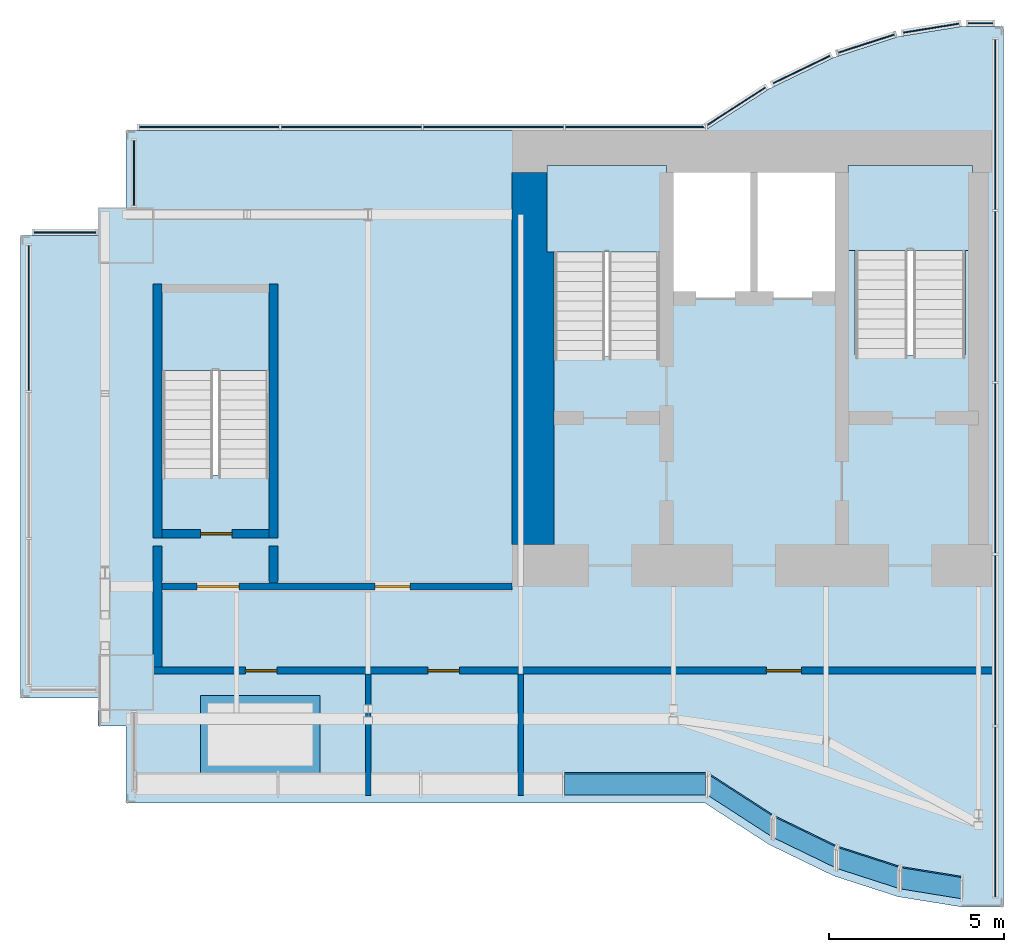
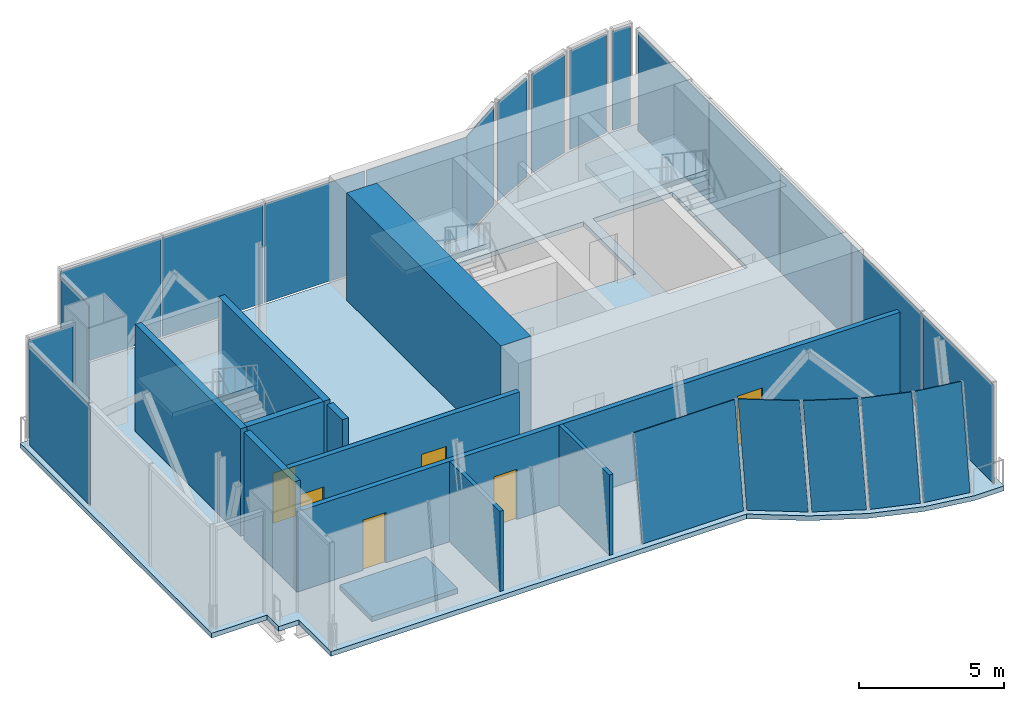
# One storey, part 3 of 6: 22 plates, 11 walls, 6 doors, 4 slabs, 6 openings, 18 elements without a shape of their own.
"""IFC4 building model written with IfcOpenShell, lengths in metres."""

from ifc_helpers import new_model, si_unit, direction, frame, frame_2d, origin, origin_2d, place, context, subcontext, project, spatial, polyline, rectangle, outline, extrude, material, layer, layer_set, type_object, element, fill, aggregate, save


model = new_model("IFC4")

# Units and contexts
model_context = context("Model", 3, precision=1e-05, world=origin(), true_north=direction((0.0, 1.0)))
body_context = subcontext(model_context, "Body", "Model", "MODEL_VIEW")
ifc_project = project(units=[si_unit("LENGTHUNIT", "METRE"), si_unit("AREAUNIT", "SQUARE_METRE"), si_unit("VOLUMEUNIT", "CUBIC_METRE"), si_unit("PLANEANGLEUNIT", "RADIAN"), si_unit("MASSUNIT", "GRAM", prefix="KILO")], contexts=[model_context])

# Site, building, storey
site_placement = place(None, origin())
site = spatial("IfcSite", under=ifc_project, at=site_placement, CompositionType="ELEMENT")
building_placement = place(site_placement, origin())
building = spatial("IfcBuilding", under=site, at=building_placement, Name="Bicima Exchange Tower", CompositionType="ELEMENT")
storey_placement = place(building_placement, frame((0.0, 0.0, 374.89990234375)))
storey = spatial("IfcBuildingStorey", under=building, at=storey_placement, Name="L84", CompositionType="ELEMENT", Elevation=374.89990234375)

# Slab
ifc_material_1 = material(Name="Concrete C40/50", Category="concrete")
ifc_layer_1 = layer(ifc_material_1, 0.199951171875)
ifc_layer_set_1 = layer_set([ifc_layer_1], Name="Concrete C40/50")
slab_type_1 = type_object("IfcSlabType", Name="Composite floor slab 200", PredefinedType="FLOOR", material=ifc_layer_set_1)
slab_1_placement = place(storey_placement, frame((0.0, 0.0, -0.199951171875)))
element("IfcSlab", 1, at=slab_1_placement, inside=storey, type_object=slab_type_1, Name="Floor slab", PredefinedType="FLOOR", context=body_context, shape_type="SweptSolid", body=[
    extrude(outline(polyline([(-33.800048828125, -16.17333984375), (-36.0, -16.17333984375), (-36.0, -3.0), (-33.800048828125, -3.0), (-33.800048828125, -2.199951171875), (-33.0, -2.199951171875), (-33.0, 0.0), (-16.5, 0.0), (-14.666748046875, 1.185302734375), (-12.833251953125, 2.07421875), (-11.0, 2.666748046875), (-9.166748046875, 2.962890625), (-8.0, 2.962890625), (-8.0, -22.136474609375), (-9.166748046875, -22.136474609375), (-11.0, -21.840087890625), (-12.833251953125, -21.24755859375), (-14.666748046875, -20.358642578125), (-16.5, -19.17333984375), (-33.0, -19.17333984375), (-33.0, -16.973388671875), (-33.800048828125, -16.973388671875), (-33.800048828125, -16.17333984375)]), holes=[polyline([(-28.925048828125, -4.625), (-31.97509765625, -4.625), (-31.97509765625, -9.824951171875), (-28.925048828125, -9.824951171875), (-28.925048828125, -4.625)]), polyline([(-17.800048828125, -1.199951171875), (-20.800048828125, -1.199951171875), (-20.800048828125, -6.449951171875), (-17.800048828125, -6.449951171875), (-17.800048828125, -1.199951171875)]), polyline([(-9.074951171875, -1.199951171875), (-12.22509765625, -1.199951171875), (-12.22509765625, -6.39990234375), (-9.074951171875, -6.39990234375), (-9.074951171875, -1.199951171875)]), polyline([(-12.60009765625, -1.199951171875), (-15.10009765625, -1.199951171875), (-17.60009765625, -1.199951171875), (-17.60009765625, -4.800048828125), (-15.10009765625, -4.800048828125), (-12.60009765625, -4.800048828125), (-12.60009765625, -1.199951171875)])]), origin(), (0.0, 0.0, 1.0), 0.199951171875),
])

# Curtain wall, plates
ifc_material_2 = material(Name="Anodised bronze aluminium", Category="aluminium")
curtain_wall_type = type_object("IfcCurtainWallType", Name="Crown glass wall", PredefinedType="NOTDEFINED", material=ifc_material_2)
curtain_wall_1_placement = place(storey_placement, origin())
curtain_wall_1 = element("IfcCurtainWall", 2, at=curtain_wall_1_placement, inside=storey, type_object=curtain_wall_type, Name="Crown glass wall L84 run 2", PredefinedType="NOTDEFINED")
ifc_material_3 = material(Name="Bronze tinted glass", Category="glass")
ifc_layer_2 = layer(ifc_material_3, 0.035888671875)
ifc_layer_set_2 = layer_set([ifc_layer_2], Name="Bronze tinted glass")
plate_type = type_object("IfcPlateType", Name="Crown glass wall glass panel 36", PredefinedType="CURTAIN_PANEL", material=ifc_layer_set_2)
plate_1_placement = place(storey_placement, frame((-8.22998046875, -19.427490234375, 0.0), z_axis=(0.0, 0.0, 1.0), x_axis=(0.0, 1.0, 0.0)))
plate_1 = element("IfcPlate", 3, at=plate_1_placement, type_object=plate_type, Name="Crown glass wall panel 1.1", PredefinedType="CURTAIN_PANEL", context=body_context, shape_type="SweptSolid", body=[
    extrude(rectangle(XDim=4.837890625, YDim=0.035888671875, at=origin_2d()), origin(), (0.0, 0.0, 1.0), 4.139892578125),
])
plate_2_placement = place(storey_placement, frame((-8.22998046875, -14.529541015625, 0.0), z_axis=(0.0, 0.0, 1.0), x_axis=(0.0, 1.0, 0.0)))
plate_2 = element("IfcPlate", 4, at=plate_2_placement, type_object=plate_type, Name="Crown glass wall panel 2.1", PredefinedType="CURTAIN_PANEL", context=body_context, shape_type="SweptSolid", body=[
    extrude(rectangle(XDim=4.837890625, YDim=0.035888671875, at=origin_2d()), origin(), (0.0, 0.0, 1.0), 4.139892578125),
])
plate_3_placement = place(storey_placement, frame((-8.22998046875, -9.631591796875, 0.0), z_axis=(0.0, 0.0, 1.0), x_axis=(0.0, 1.0, 0.0)))
plate_3 = element("IfcPlate", 5, at=plate_3_placement, type_object=plate_type, Name="Crown glass wall panel 3.1", PredefinedType="CURTAIN_PANEL", context=body_context, shape_type="SweptSolid", body=[
    extrude(rectangle(XDim=4.837890625, YDim=0.035888671875, at=origin_2d()), origin(), (0.0, 0.0, 1.0), 4.139892578125),
])
plate_4_placement = place(storey_placement, frame((-8.22998046875, -4.73388671875, 0.0), z_axis=(0.0, 0.0, 1.0), x_axis=(0.0, 1.0, 0.0)))
plate_4 = element("IfcPlate", 6, at=plate_4_placement, type_object=plate_type, Name="Crown glass wall panel 4.1", PredefinedType="CURTAIN_PANEL", context=body_context, shape_type="SweptSolid", body=[
    extrude(rectangle(XDim=4.837890625, YDim=0.035888671875, at=origin_2d()), origin(), (0.0, 0.0, 1.0), 4.139892578125),
])
plate_5_placement = place(storey_placement, frame((-8.22998046875, 0.1640625, 0.0), z_axis=(0.0, 0.0, 1.0), x_axis=(0.0, 1.0, 0.0)))
plate_5 = element("IfcPlate", 7, at=plate_5_placement, type_object=plate_type, Name="Crown glass wall panel 5.1", PredefinedType="CURTAIN_PANEL", context=body_context, shape_type="SweptSolid", body=[
    extrude(rectangle(XDim=4.837890625, YDim=0.035888671875, at=origin_2d()), origin(), (0.0, 0.0, 1.0), 4.139892578125),
])
aggregate(curtain_wall_1, [plate_1, plate_2, plate_3, plate_4, plate_5])

# Curtain wall, plate
curtain_wall_2_placement = place(storey_placement, origin())
curtain_wall_2 = element("IfcCurtainWall", 8, at=curtain_wall_2_placement, inside=storey, type_object=curtain_wall_type, Name="Crown glass wall L84 run 3", PredefinedType="NOTDEFINED")
plate_6_placement = place(storey_placement, frame((-8.64404296875, 3.052978515625, 0.0), z_axis=(0.0, 0.0, 1.0), x_axis=(-1.0, 0.0, 0.0)))
plate_6 = element("IfcPlate", 9, at=plate_6_placement, type_object=plate_type, Name="Crown glass wall panel 1.1", PredefinedType="CURTAIN_PANEL", context=body_context, shape_type="SweptSolid", body=[
    extrude(rectangle(XDim=0.708251953125, YDim=0.035888671875, at=origin_2d()), origin(), (0.0, 0.0, 1.0), 4.139892578125),
])
aggregate(curtain_wall_2, [plate_6])

curtain_wall_3_placement = place(storey_placement, origin())
curtain_wall_3 = element("IfcCurtainWall", 10, at=curtain_wall_3_placement, inside=storey, type_object=curtain_wall_type, Name="Crown glass wall L84 run 4", PredefinedType="NOTDEFINED")
plate_7_placement = place(storey_placement, frame((-10.0537109375, 2.910888671875, 0.0), z_axis=(0.0, 0.0, 1.0), x_axis=(-0.987189786347, -0.159550386184, 0.0)))
plate_7 = element("IfcPlate", 11, at=plate_7_placement, type_object=plate_type, Name="Crown glass wall panel 1.1", PredefinedType="CURTAIN_PANEL", context=body_context, shape_type="SweptSolid", body=[
    extrude(rectangle(XDim=1.611083984375, YDim=0.035888671875, at=origin_2d()), origin(), (0.0, 0.0, 1.0), 4.139892578125),
])
aggregate(curtain_wall_3, [plate_7])

curtain_wall_4_placement = place(storey_placement, origin())
curtain_wall_4 = element("IfcCurtainWall", 12, at=curtain_wall_4_placement, inside=storey, type_object=curtain_wall_type, Name="Crown glass wall L84 run 5", PredefinedType="NOTDEFINED")
plate_8_placement = place(storey_placement, frame((-11.90234375, 2.469482421875, 0.0), z_axis=(0.0, 0.0, 1.0), x_axis=(-0.951524642381, -0.307572519808, 0.0)))
plate_8 = element("IfcPlate", 13, at=plate_8_placement, type_object=plate_type, Name="Crown glass wall panel 1.1", PredefinedType="CURTAIN_PANEL", context=body_context, shape_type="SweptSolid", body=[
    extrude(rectangle(XDim=1.68310546875, YDim=0.035888671875, at=origin_2d()), origin(), (0.0, 0.0, 1.0), 4.139892578125),
])
aggregate(curtain_wall_4, [plate_8])

curtain_wall_5_placement = place(storey_placement, origin())
curtain_wall_5 = element("IfcCurtainWall", 14, at=curtain_wall_5_placement, inside=storey, type_object=curtain_wall_type, Name="Crown glass wall L84 run 6", PredefinedType="NOTDEFINED")
plate_9_placement = place(storey_placement, frame((-13.74951171875, 1.72998046875, 0.0), z_axis=(0.0, 0.0, 1.0), x_axis=(-0.899818346812, -0.436264762204, 0.0)))
plate_9 = element("IfcPlate", 15, at=plate_9_placement, type_object=plate_type, Name="Crown glass wall panel 1.1", PredefinedType="CURTAIN_PANEL", context=body_context, shape_type="SweptSolid", body=[
    extrude(rectangle(XDim=1.79736328125, YDim=0.035888671875, at=origin_2d()), origin(), (0.0, 0.0, 1.0), 4.139892578125),
])
aggregate(curtain_wall_5, [plate_9])

curtain_wall_6_placement = place(storey_placement, origin())
curtain_wall_6 = element("IfcCurtainWall", 16, at=curtain_wall_6_placement, inside=storey, type_object=curtain_wall_type, Name="Crown glass wall L84 run 7", PredefinedType="NOTDEFINED")
plate_10_placement = place(storey_placement, frame((-15.62890625, 0.67041015625, 0.0), z_axis=(0.0, 0.0, 1.0), x_axis=(-0.839790466384, -0.542910648791, 0.0)))
plate_10 = element("IfcPlate", 17, at=plate_10_placement, type_object=plate_type, Name="Crown glass wall panel 1.1", PredefinedType="CURTAIN_PANEL", context=body_context, shape_type="SweptSolid", body=[
    extrude(rectangle(XDim=2.02685546875, YDim=0.035888671875, at=origin_2d()), origin(), (0.0, 0.0, 1.0), 4.139892578125),
])
aggregate(curtain_wall_6, [plate_10])

# Curtain wall, plates
curtain_wall_7_placement = place(storey_placement, origin())
curtain_wall_7 = element("IfcCurtainWall", 18, at=curtain_wall_7_placement, inside=storey, type_object=curtain_wall_type, Name="Crown glass wall L84 run 8", PredefinedType="NOTDEFINED")
plate_11_placement = place(storey_placement, frame((-18.485595703125, 0.090087890625, 0.0), z_axis=(0.0, 0.0, 1.0), x_axis=(-1.0, 0.0, 0.0)))
plate_11 = element("IfcPlate", 19, at=plate_11_placement, type_object=plate_type, Name="Crown glass wall panel 1.1", PredefinedType="CURTAIN_PANEL", context=body_context, shape_type="SweptSolid", body=[
    extrude(rectangle(XDim=3.987060546875, YDim=0.035888671875, at=origin_2d()), origin(), (0.0, 0.0, 1.0), 4.139892578125),
])
plate_12_placement = place(storey_placement, frame((-22.53271484375, 0.090087890625, 0.0), z_axis=(0.0, 0.0, 1.0), x_axis=(-1.0, 0.0, 0.0)))
plate_12 = element("IfcPlate", 20, at=plate_12_placement, type_object=plate_type, Name="Crown glass wall panel 2.1", PredefinedType="CURTAIN_PANEL", context=body_context, shape_type="SweptSolid", body=[
    extrude(rectangle(XDim=3.987060546875, YDim=0.035888671875, at=origin_2d()), origin(), (0.0, 0.0, 1.0), 4.139892578125),
])
plate_13_placement = place(storey_placement, frame((-26.57958984375, 0.090087890625, 0.0), z_axis=(0.0, 0.0, 1.0), x_axis=(-1.0, 0.0, 0.0)))
plate_13 = element("IfcPlate", 21, at=plate_13_placement, type_object=plate_type, Name="Crown glass wall panel 3.1", PredefinedType="CURTAIN_PANEL", context=body_context, shape_type="SweptSolid", body=[
    extrude(rectangle(XDim=3.987060546875, YDim=0.035888671875, at=origin_2d()), origin(), (0.0, 0.0, 1.0), 4.139892578125),
])
plate_14_placement = place(storey_placement, frame((-30.62646484375, 0.090087890625, 0.0), z_axis=(0.0, 0.0, 1.0), x_axis=(-1.0, 0.0, 0.0)))
plate_14 = element("IfcPlate", 22, at=plate_14_placement, type_object=plate_type, Name="Crown glass wall panel 4.1", PredefinedType="CURTAIN_PANEL", context=body_context, shape_type="SweptSolid", body=[
    extrude(rectangle(XDim=3.987060546875, YDim=0.035888671875, at=origin_2d()), origin(), (0.0, 0.0, 1.0), 4.139892578125),
])
aggregate(curtain_wall_7, [plate_11, plate_12, plate_13, plate_14])

# Curtain wall, plate
curtain_wall_8_placement = place(storey_placement, origin())
curtain_wall_8 = element("IfcCurtainWall", 23, at=curtain_wall_8_placement, inside=storey, type_object=curtain_wall_type, Name="Crown glass wall L84 run 9", PredefinedType="NOTDEFINED")
plate_15_placement = place(storey_placement, frame((-32.77001953125, -1.215087890625, 0.0), z_axis=(0.0, 0.0, 1.0), x_axis=(0.0, -1.0, 0.0)))
plate_15 = element("IfcPlate", 24, at=plate_15_placement, type_object=plate_type, Name="Crown glass wall panel 1.1", PredefinedType="CURTAIN_PANEL", context=body_context, shape_type="SweptSolid", body=[
    extrude(rectangle(XDim=1.85009765625, YDim=0.035888671875, at=origin_2d()), origin(), (0.0, 0.0, 1.0), 4.139892578125),
])
aggregate(curtain_wall_8, [plate_15])

curtain_wall_9_placement = place(storey_placement, origin())
curtain_wall_9 = element("IfcCurtainWall", 25, at=curtain_wall_9_placement, inside=storey, type_object=curtain_wall_type, Name="Crown glass wall L84 run 10", PredefinedType="NOTDEFINED")
plate_16_placement = place(storey_placement, frame((-34.739990234375, -2.909912109375, 0.0), z_axis=(0.0, 0.0, 1.0), x_axis=(-1.0, 0.0, 0.0)))
plate_16 = element("IfcPlate", 26, at=plate_16_placement, type_object=plate_type, Name="Crown glass wall panel 1.1", PredefinedType="CURTAIN_PANEL", context=body_context, shape_type="SweptSolid", body=[
    extrude(rectangle(XDim=1.760009765625, YDim=0.035888671875, at=origin_2d()), origin(), (0.0, 0.0, 1.0), 4.139892578125),
])
aggregate(curtain_wall_9, [plate_16])

curtain_wall_10_placement = place(storey_placement, origin())
curtain_wall_10 = element("IfcCurtainWall", 27, at=curtain_wall_10_placement, inside=storey, type_object=curtain_wall_type, Name="Crown glass wall L84 run 11", PredefinedType="NOTDEFINED")
plate_17_placement = place(storey_placement, frame((-35.77001953125, -5.35400390625, 0.0), z_axis=(0.0, 0.0, 1.0), x_axis=(0.0, -1.0, 0.0)))
plate_17 = element("IfcPlate", 28, at=plate_17_placement, type_object=plate_type, Name="Crown glass wall panel 1.1", PredefinedType="CURTAIN_PANEL", context=body_context, shape_type="SweptSolid", body=[
    extrude(rectangle(XDim=4.127685546875, YDim=0.035888671875, at=origin_2d()), origin(), (0.0, 0.0, 1.0), 4.139892578125),
])
aggregate(curtain_wall_10, [plate_17])

curtain_wall_11_placement = place(storey_placement, origin())
curtain_wall_11 = element("IfcCurtainWall", 29, at=curtain_wall_11_placement, inside=storey, type_object=curtain_wall_type, Name="Crown tilted glass L84 14.1", PredefinedType="NOTDEFINED")
plate_18_placement = place(storey_placement, frame((-20.501708984375, -18.943359375, 0.0), z_axis=(0.0, -0.99027074745, 0.139154039626), x_axis=(1.0, 0.0, 0.0)))
plate_18 = element("IfcPlate", 30, at=plate_18_placement, type_object=plate_type, Name="Crown tilted glass panel 4", PredefinedType="CURTAIN_PANEL", context=body_context, shape_type="SweptSolid", body=[
    extrude(outline(polyline([(0.0, 0.0), (4.009521484375, 0.0), (4.009521484375, 4.342296123758884), (0.0, 4.342296123758884), (0.0, 0.0)])), origin(), (0.0, 0.0, -1.0), 0.035888671875),
])
aggregate(curtain_wall_11, [plate_18])

curtain_wall_12_placement = place(storey_placement, origin())
curtain_wall_12 = element("IfcCurtainWall", 31, at=curtain_wall_12_placement, inside=storey, type_object=curtain_wall_type, Name="Crown tilted glass L84 15.1", PredefinedType="NOTDEFINED")
plate_19_placement = place(storey_placement, frame((-16.381591796875, -18.97607421875, 0.0), z_axis=(-0.539204779654, -0.833977695307, 0.117215226522), x_axis=(0.839766957866, -0.542947010716, 5.63754e-06)))
plate_19 = element("IfcPlate", 32, at=plate_19_placement, type_object=plate_type, Name="Crown tilted glass panel 1", PredefinedType="CURTAIN_PANEL", context=body_context, shape_type="SweptSolid", body=[
    extrude(outline(polyline([(0.0, 0.0), (2.1166979491355855, 0.0), (1.7886475200509826, 4.3298866650323315), (-0.32818298450714084, 4.329910697384378), (0.0, 0.0)])), origin(), (0.0, 0.0, -1.0), 0.035888671875),
])
aggregate(curtain_wall_12, [plate_19])

curtain_wall_13_placement = place(storey_placement, origin())
curtain_wall_13 = element("IfcCurtainWall", 33, at=curtain_wall_13_placement, inside=storey, type_object=curtain_wall_type, Name="Crown tilted glass L84 16.1", PredefinedType="NOTDEFINED")
plate_20_placement = place(storey_placement, frame((-14.499755859375, -20.18408203125, 0.0), z_axis=(-0.432764245492, -0.89273264815, 0.125473211292), x_axis=(0.899844508599, -0.436210798, 7.244359e-06)))
plate_20 = element("IfcPlate", 34, at=plate_20_placement, type_object=plate_type, Name="Crown tilted glass panel 1", PredefinedType="CURTAIN_PANEL", context=body_context, shape_type="SweptSolid", body=[
    extrude(outline(polyline([(0.0, 0.0), (1.8874807268503508, 0.0), (1.6239323552300162, 4.334290930515845), (-0.2636548683971902, 4.334318496315468), (0.0, 0.0)])), origin(), (0.0, 0.0, -1.0), 0.035888671875),
])
aggregate(curtain_wall_13, [plate_20])

curtain_wall_14_placement = place(storey_placement, origin())
curtain_wall_14 = element("IfcCurtainWall", 35, at=curtain_wall_14_placement, inside=storey, type_object=curtain_wall_type, Name="Crown tilted glass L84 17.1", PredefinedType="NOTDEFINED")
plate_21_placement = place(storey_placement, frame((-12.690185546875, -21.052001953125, 0.0), z_axis=(-0.304908856008, -0.943115575208, 0.132527737957), x_axis=(0.951508549588, -0.307622300981, 0.0)))
plate_21 = element("IfcPlate", 36, at=plate_21_placement, type_object=plate_type, Name="Crown tilted glass panel 1", PredefinedType="CURTAIN_PANEL", context=body_context, shape_type="SweptSolid", body=[
    extrude(outline(polyline([(0.0, 0.0), (1.772986400889888, 0.0), (1.5871062263468465, 4.33831582381035), (-0.18588017454304137, 4.33831582381035), (0.0, 0.0)])), origin(), (0.0, 0.0, -1.0), 0.035888671875),
])
aggregate(curtain_wall_14, [plate_21])

curtain_wall_15_placement = place(storey_placement, origin())
curtain_wall_15 = element("IfcCurtainWall", 37, at=curtain_wall_15_placement, inside=storey, type_object=curtain_wall_type, Name="Crown tilted glass L84 18.1", PredefinedType="NOTDEFINED")
plate_22_placement = place(storey_placement, frame((-10.88671875, -21.62548828125, 0.0), z_axis=(-0.158018725341, -0.977825274758, 0.137432945419), x_axis=(0.987192887516, -0.159531196774, 9.644214e-06)))
plate_22 = element("IfcPlate", 38, at=plate_22_placement, type_object=plate_type, Name="Crown tilted glass panel 1", PredefinedType="CURTAIN_PANEL", context=body_context, shape_type="SweptSolid", body=[
    extrude(outline(polyline([(0.0, 0.0), (1.7009648046760948, 6.938893903907228e-18), (1.6046098612011823, 4.341226939130429), (-0.09639389152100006, 4.341260062751083), (0.0, 0.0)])), origin(), (0.0, 0.0, -1.0), 0.035888671875),
])
aggregate(curtain_wall_15, [plate_22])

# Stair, slab
ifc_material_4 = material(Name="Concrete C50/60", Category="concrete")
stair_type_1 = type_object("IfcStairType", Name="Exit stair", PredefinedType="HALF_TURN_STAIR", material=ifc_material_4)
stair_1_placement = place(storey_placement, origin())
stair_1 = element("IfcStair", 39, at=stair_1_placement, inside=storey, type_object=stair_type_1, Name="L84 West exit stair", PredefinedType="HALF_TURN_STAIR")
ifc_layer_3 = layer(ifc_material_4, 0.199951171875)
ifc_layer_set_3 = layer_set([ifc_layer_3], Name="Concrete C50/60")
slab_type_2 = type_object("IfcSlabType", Name="Stair landing slab", PredefinedType="LANDING", material=ifc_layer_set_3)
slab_2_placement = place(storey_placement, frame((0.0, 0.0, 2.050048828125)))
slab_2 = element("IfcSlab", 40, at=slab_2_placement, type_object=slab_type_2, Name="ST-W landing 1", PredefinedType="LANDING", context=body_context, shape_type="SweptSolid", body=[
    extrude(outline(polyline([(-17.60009765625, -3.469970703125), (-17.60009765625, -1.0), (-21.0, -1.0), (-21.0, -3.469970703125), (-17.60009765625, -3.469970703125)])), origin(), (0.0, 0.0, 1.0), 0.199951171875),
])
aggregate(stair_1, [slab_2])

stair_type_2 = type_object("IfcStairType", Name="Exit stair 1500", PredefinedType="HALF_TURN_STAIR", material=ifc_material_4)
stair_2_placement = place(storey_placement, origin())
stair_2 = element("IfcStair", 41, at=stair_2_placement, inside=storey, type_object=stair_type_2, Name="L84 Crown exit stair", PredefinedType="HALF_TURN_STAIR")
slab_3_placement = place(storey_placement, frame((0.0, 0.0, 2.050048828125)))
slab_3 = element("IfcSlab", 42, at=slab_3_placement, type_object=slab_type_2, Name="ST-CR landing 1", PredefinedType="LANDING", context=body_context, shape_type="SweptSolid", body=[
    extrude(outline(polyline([(-8.875, -3.419921875), (-8.875, -1.0), (-12.425048828125, -1.0), (-12.425048828125, -3.419921875), (-8.875, -3.419921875)])), origin(), (0.0, 0.0, 1.0), 0.199951171875),
])
aggregate(stair_2, [slab_3])

stair_3_placement = place(storey_placement, origin())
stair_3 = element("IfcStair", 43, at=stair_3_placement, inside=storey, type_object=stair_type_1, Name="L84 West end exit stair", PredefinedType="HALF_TURN_STAIR")
slab_4_placement = place(storey_placement, frame((0.0, 0.0, 2.050048828125)))
slab_4 = element("IfcSlab", 44, at=slab_4_placement, type_object=slab_type_2, Name="ST-WW landing 1", PredefinedType="LANDING", context=body_context, shape_type="SweptSolid", body=[
    extrude(outline(polyline([(-28.72509765625, -6.844970703125), (-28.72509765625, -4.425048828125), (-32.175048828125, -4.425048828125), (-32.175048828125, -6.844970703125), (-28.72509765625, -6.844970703125)])), origin(), (0.0, 0.0, 1.0), 0.199951171875),
])
aggregate(stair_3, [slab_4])

# Wall, openings, doors
ifc_material_5 = material(Name="Gypsum board partition")
ifc_layer_4 = layer(ifc_material_5, 0.199951171875)
ifc_layer_set_4 = layer_set([ifc_layer_4], Name="Gypsum board partition")
wall_type_1 = type_object("IfcWallType", Name="Fire-rated gypsum partition 200 EI60", PredefinedType="PARTITIONING", material=ifc_layer_set_4)
wall_1_placement = place(storey_placement, frame((-32.22509765625, -15.39990234375, 0.0), z_axis=(0.0, 0.0, 1.0), x_axis=(1.0, 0.0, 0.0)))
wall_1 = element("IfcWall", 45, at=wall_1_placement, inside=storey, type_object=wall_type_1, Name="partition wall 1", PredefinedType="PARTITIONING", context=body_context, shape_type="SweptSolid", body=[
    extrude(rectangle(XDim=23.925048828125, YDim=0.199951171875, at=frame_2d((11.96240234375, 0.0))), origin(), (0.0, 0.0, 1.0), 3.368408203125),
])
opening_1_placement = place(wall_1_placement, frame((2.625, 0.0, 0.0)))
opening_1 = element("IfcOpeningElement", 46, at=opening_1_placement, cuts=wall_1, Name="Opening L84-004", PredefinedType="OPENING", context=body_context, shape_type="SweptSolid", body=[
    extrude(rectangle(XDim=0.89990234375, YDim=2.10009765625, at=frame_2d((0.449951171875, 1.050048828125))), frame((0.0, 0.11181640625, 0.0), z_axis=(0.0, -1.0, 0.0), x_axis=(1.0, 0.0, 0.0)), (0.0, 0.0, 1.0), 0.223876953125),
])
opening_2_placement = place(wall_1_placement, frame((7.824951171875, 0.0, 0.0)))
opening_2 = element("IfcOpeningElement", 47, at=opening_2_placement, cuts=wall_1, Name="Opening L84-005", PredefinedType="OPENING", context=body_context, shape_type="SweptSolid", body=[
    extrude(rectangle(XDim=0.89990234375, YDim=2.10009765625, at=frame_2d((0.449951171875, 1.050048828125))), frame((0.0, 0.11181640625, 0.0), z_axis=(0.0, -1.0, 0.0), x_axis=(1.0, 0.0, 0.0)), (0.0, 0.0, 1.0), 0.223876953125),
])
opening_3_placement = place(wall_1_placement, frame((17.47509765625, 0.0, 0.0)))
opening_3 = element("IfcOpeningElement", 48, at=opening_3_placement, cuts=wall_1, Name="Opening L84-006", PredefinedType="OPENING", context=body_context, shape_type="SweptSolid", body=[
    extrude(rectangle(XDim=1.0, YDim=2.10009765625, at=frame_2d((0.5, 1.050048828125))), frame((0.0, 0.11181640625, 0.0), z_axis=(0.0, -1.0, 0.0), x_axis=(1.0, 0.0, 0.0)), (0.0, 0.0, 1.0), 0.223876953125),
])
ifc_material_6 = material(Name="Steel fire door leaf", Category="steel")
door_type_1 = type_object("IfcDoorType", Name="Door 1000 swing FD30S", OperationType="SINGLE_SWING_LEFT", PredefinedType="DOOR", material=ifc_material_6)
door_1_placement = place(opening_3_placement, frame((1.0, 0.0, 0.0), z_axis=(0.0, 0.0, 1.0), x_axis=(-1.0, 0.0, 0.0)))
door_1 = element("IfcDoor", 49, at=door_1_placement, inside=storey, type_object=door_type_1, Name="Door", OperationType="SINGLE_SWING_RIGHT", OverallHeight=2.10009765625, OverallWidth=1.0, PredefinedType="DOOR", context=body_context, shape_type="SweptSolid", body=[
    extrude(rectangle(XDim=1.0, YDim=2.10009765625, at=frame_2d((0.5, 1.050048828125))), frame((0.0, 0.02490234375, 0.0), z_axis=(0.0, -1.0, 0.0), x_axis=(1.0, 0.0, 0.0)), (0.0, 0.0, 1.0), 0.050048828125),
])
fill(opening_3, door_1)
door_type_2 = type_object("IfcDoorType", Name="Door 900 swing FD30S", OperationType="SINGLE_SWING_LEFT", PredefinedType="DOOR", material=ifc_material_6)
door_2_placement = place(opening_1_placement, frame((0.89990234375, 0.0, 0.0), z_axis=(0.0, 0.0, 1.0), x_axis=(-1.0, 0.0, 0.0)))
door_2 = element("IfcDoor", 50, at=door_2_placement, inside=storey, type_object=door_type_2, Name="Door", OperationType="SINGLE_SWING_LEFT", OverallHeight=2.10009765625, OverallWidth=0.89990234375, PredefinedType="DOOR", context=body_context, shape_type="SweptSolid", body=[
    extrude(rectangle(XDim=0.89990234375, YDim=2.10009765625, at=frame_2d((0.449951171875, 1.050048828125))), frame((0.0, 0.02490234375, 0.0), z_axis=(0.0, -1.0, 0.0), x_axis=(1.0, 0.0, 0.0)), (0.0, 0.0, 1.0), 0.050048828125),
])
fill(opening_1, door_2)
door_3_placement = place(opening_2_placement, frame((0.89990234375, 0.0, 0.0), z_axis=(0.0, 0.0, 1.0), x_axis=(-1.0, 0.0, 0.0)))
door_3 = element("IfcDoor", 51, at=door_3_placement, inside=storey, type_object=door_type_2, Name="Door", OperationType="SINGLE_SWING_RIGHT", OverallHeight=2.10009765625, OverallWidth=0.89990234375, PredefinedType="DOOR", context=body_context, shape_type="SweptSolid", body=[
    extrude(rectangle(XDim=0.89990234375, YDim=2.10009765625, at=frame_2d((0.449951171875, 1.050048828125))), frame((0.0, 0.02490234375, 0.0), z_axis=(0.0, -1.0, 0.0), x_axis=(1.0, 0.0, 0.0)), (0.0, 0.0, 1.0), 0.050048828125),
])
fill(opening_2, door_3)

wall_2_placement = place(storey_placement, frame((-31.97509765625, -13.0, 0.0), z_axis=(0.0, 0.0, 1.0), x_axis=(1.0, 0.0, 0.0)))
wall_2 = element("IfcWall", 52, at=wall_2_placement, inside=storey, type_object=wall_type_1, Name="partition wall 2", PredefinedType="PARTITIONING", context=body_context, shape_type="SweptSolid", body=[
    extrude(rectangle(XDim=9.97509765625, YDim=0.199951171875, at=frame_2d((4.987548828125, 0.0))), origin(), (0.0, 0.0, 1.0), 3.368408203125),
])
opening_4_placement = place(wall_2_placement, frame((1.0, 0.0, 0.0)))
opening_4 = element("IfcOpeningElement", 53, at=opening_4_placement, cuts=wall_2, Name="Opening L84-001", PredefinedType="OPENING", context=body_context, shape_type="SweptSolid", body=[
    extrude(rectangle(XDim=1.199951171875, YDim=2.10009765625, at=frame_2d((0.60009765625, 1.050048828125))), frame((0.0, 0.11181640625, 0.0), z_axis=(0.0, -1.0, 0.0), x_axis=(1.0, 0.0, 0.0)), (0.0, 0.0, 1.0), 0.223876953125),
])
opening_5_placement = place(wall_2_placement, frame((6.074951171875, 0.0, 0.0)))
opening_5 = element("IfcOpeningElement", 54, at=opening_5_placement, cuts=wall_2, Name="Opening L84-003", PredefinedType="OPENING", context=body_context, shape_type="SweptSolid", body=[
    extrude(rectangle(XDim=1.0, YDim=2.10009765625, at=frame_2d((0.5, 1.050048828125))), frame((0.0, 0.11181640625, 0.0), z_axis=(0.0, -1.0, 0.0), x_axis=(1.0, 0.0, 0.0)), (0.0, 0.0, 1.0), 0.223876953125),
])
door_4_placement = place(opening_5_placement, origin())
door_4 = element("IfcDoor", 55, at=door_4_placement, inside=storey, type_object=door_type_1, Name="Door", OperationType="SINGLE_SWING_RIGHT", OverallHeight=2.10009765625, OverallWidth=1.0, PredefinedType="DOOR", context=body_context, shape_type="SweptSolid", body=[
    extrude(rectangle(XDim=1.0, YDim=2.10009765625, at=frame_2d((0.5, 1.050048828125))), frame((0.0, 0.02490234375, 0.0), z_axis=(0.0, -1.0, 0.0), x_axis=(1.0, 0.0, 0.0)), (0.0, 0.0, 1.0), 0.050048828125),
])
fill(opening_5, door_4)
door_type_3 = type_object("IfcDoorType", Name="Door 1200 swing FD30S", OperationType="SINGLE_SWING_LEFT", PredefinedType="DOOR", material=ifc_material_6)
door_5_placement = place(opening_4_placement, origin())
door_5 = element("IfcDoor", 56, at=door_5_placement, inside=storey, type_object=door_type_3, Name="Door", OperationType="SINGLE_SWING_LEFT", OverallHeight=2.10009765625, OverallWidth=1.199951171875, PredefinedType="DOOR", context=body_context, shape_type="SweptSolid", body=[
    extrude(rectangle(XDim=1.199951171875, YDim=2.10009765625, at=frame_2d((0.60009765625, 1.050048828125))), frame((0.0, 0.02490234375, 0.0), z_axis=(0.0, -1.0, 0.0), x_axis=(1.0, 0.0, 0.0)), (0.0, 0.0, 1.0), 0.050048828125),
])
fill(opening_4, door_5)

# Walls
ifc_layer_5 = layer(ifc_material_5, 0.14990234375)
ifc_layer_set_5 = layer_set([ifc_layer_5], Name="Gypsum board partition")
wall_type_2 = type_object("IfcWallType", Name="Gypsum partition 150", PredefinedType="PARTITIONING", material=ifc_layer_set_5)
for number, where, z_axis, x_axis, name in (
    (57, (-26.10009765625, -18.9599609375, 0.0), (0.0, 0.0, 1.0), (0.0, 1.0, 0.0), "partition wall 7"),
    (58, (-21.75, -18.9599609375, 0.0), (0.0, 0.0, 1.0), (0.0, 1.0, 0.0), "partition wall 8"),
):
    element("IfcWall", number, at=place(storey_placement, frame(where, z_axis=z_axis, x_axis=x_axis)), inside=storey, type_object=wall_type_2, Name=name, PredefinedType="PARTITIONING", context=body_context, shape_type="SweptSolid", body=[
        extrude(rectangle(XDim=3.4599609375, YDim=0.14990234375, at=frame_2d((1.72998046875, 0.0))), origin(), (0.0, 0.0, 1.0), 3.368408203125),
    ])
ifc_layer_6 = layer(ifc_material_1, 0.2)
ifc_layer_set_6 = layer_set([ifc_layer_6], Name="Concrete C40/50")
wall_type_3 = type_object("IfcWallType", Name="Plant plinth 200", PredefinedType="USERDEFINED", material=ifc_layer_set_6)
wall_3_placement = place(storey_placement, frame((-29.172607421875, -17.214111328125, 0.0), z_axis=(0.0, 0.0, 1.0), x_axis=(1.0, 0.0, 0.0)))
element("IfcWall", 59, at=wall_3_placement, inside=storey, type_object=wall_type_3, Name="Plant plinth Pump set", ObjectType="PLINTH", PredefinedType="USERDEFINED", context=body_context, shape_type="SweptSolid", body=[
    extrude(rectangle(XDim=3.39990234375, YDim=2.199951171875, at=origin_2d()), origin(), (0.0, 0.0, 1.0), 0.199951171875),
])
ifc_layer_7 = layer(ifc_material_1, 1.199951171875)
ifc_layer_set_7 = layer_set([ifc_layer_7], Name="Concrete C40/50")
wall_type_4 = type_object("IfcWallType", Name="RC core wall 1200 C40/50", PredefinedType="SHEAR", material=ifc_layer_set_7)
wall_4_placement = place(storey_placement, frame((-21.39990234375, -11.800048828125, 0.0), z_axis=(0.0, 0.0, 1.0), x_axis=(0.0, 1.0, 0.0)))
element("IfcWall", 60, at=wall_4_placement, inside=storey, type_object=wall_type_4, Name="Core wall outer-W", PredefinedType="SHEAR", context=body_context, shape_type="SweptSolid", body=[
    extrude(rectangle(XDim=10.60009765625, YDim=1.199951171875, at=frame_2d((5.300048828125, 0.0))), origin(), (0.0, 0.0, 1.0), 4.5),
])
ifc_layer_8 = layer(ifc_material_4, 0.25)
ifc_layer_set_8 = layer_set([ifc_layer_8], Name="Concrete C50/60")
wall_type_5 = type_object("IfcWallType", Name="RC core wall 250 C50/60", PredefinedType="SHEAR", material=ifc_layer_set_8)
wall_5_placement = place(storey_placement, frame((-32.10009765625, -15.300048828125, 0.0), z_axis=(0.0, 0.0, 1.0), x_axis=(0.0, 1.0, 0.0)))
element("IfcWall", 61, at=wall_5_placement, inside=storey, type_object=wall_type_5, Name="stair wall 5", PredefinedType="SHEAR", context=body_context, shape_type="SweptSolid", body=[
    extrude(rectangle(XDim=3.449951171875, YDim=0.25, at=frame_2d((1.72509765625, 0.0))), origin(), (0.0, 0.0, 1.0), 4.5),
])
wall_6_placement = place(storey_placement, frame((-28.800048828125, -12.89990234375, 0.0), z_axis=(0.0, 0.0, 1.0), x_axis=(0.0, 1.0, 0.0)))
element("IfcWall", 62, at=wall_6_placement, inside=storey, type_object=wall_type_5, Name="stair wall 6", PredefinedType="SHEAR", context=body_context, shape_type="SweptSolid", body=[
    extrude(rectangle(XDim=1.0498046875, YDim=0.25, at=frame_2d((0.52490234375, 0.0))), origin(), (0.0, 0.0, 1.0), 4.5),
])
ifc_layer_9 = layer(ifc_material_4, 0.25)
ifc_layer_set_9 = layer_set([ifc_layer_9], Name="Concrete C50/60")
wall_type_6 = type_object("IfcWallType", Name="RC stair enclosure wall 250 C50/60", PredefinedType="SHEAR", material=ifc_layer_set_9)
for number, where, z_axis, x_axis, name in (
    (63, (-32.10009765625, -11.625, 0.0), (0.0, 0.0, 1.0), (0.0, 1.0, 0.0), "West end exit stair wall W"),
    (64, (-28.800048828125, -11.625, 0.0), (0.0, 0.0, 1.0), (0.0, 1.0, 0.0), "West end exit stair wall E"),
):
    element("IfcWall", number, at=place(storey_placement, frame(where, z_axis=z_axis, x_axis=x_axis)), inside=storey, type_object=wall_type_6, Name=name, PredefinedType="SHEAR", context=body_context, shape_type="SweptSolid", body=[
        extrude(rectangle(XDim=7.25, YDim=0.25, at=frame_2d((3.625, 0.0))), origin(), (0.0, 0.0, 1.0), 4.5),
    ])

# Wall, opening, door
wall_7_placement = place(storey_placement, frame((-31.97509765625, -11.5, 0.0), z_axis=(0.0, 0.0, 1.0), x_axis=(1.0, 0.0, 0.0)))
wall_7 = element("IfcWall", 65, at=wall_7_placement, inside=storey, type_object=wall_type_6, Name="West end exit stair wall S", PredefinedType="SHEAR", context=body_context, shape_type="SweptSolid", body=[
    extrude(rectangle(XDim=3.050048828125, YDim=0.25, at=frame_2d((1.52490234375, 0.0))), origin(), (0.0, 0.0, 1.0), 4.5),
])
opening_6_placement = place(wall_7_placement, frame((1.10009765625, 0.0, 0.0)))
opening_6 = element("IfcOpeningElement", 66, at=opening_6_placement, cuts=wall_7, Name="Opening L84-002", PredefinedType="OPENING", context=body_context, shape_type="SweptSolid", body=[
    extrude(rectangle(XDim=0.89990234375, YDim=2.10009765625, at=frame_2d((0.449951171875, 1.050048828125))), frame((0.0, 0.136962890625, 0.0), z_axis=(0.0, -1.0, 0.0), x_axis=(1.0, 0.0, 0.0)), (0.0, 0.0, 1.0), 0.27392578125),
])
door_type_4 = type_object("IfcDoorType", Name="Door 900 swing FD60S", OperationType="SINGLE_SWING_LEFT", PredefinedType="DOOR", material=ifc_material_6)
door_6_placement = place(opening_6_placement, origin())
door_6 = element("IfcDoor", 67, at=door_6_placement, inside=storey, type_object=door_type_4, Name="Door", OperationType="SINGLE_SWING_LEFT", OverallHeight=2.10009765625, OverallWidth=0.89990234375, PredefinedType="DOOR", context=body_context, shape_type="SweptSolid", body=[
    extrude(rectangle(XDim=0.89990234375, YDim=2.10009765625, at=frame_2d((0.449951171875, 1.050048828125))), frame((0.0, 0.02490234375, 0.0), z_axis=(0.0, -1.0, 0.0), x_axis=(1.0, 0.0, 0.0)), (0.0, 0.0, 1.0), 0.050048828125),
])
fill(opening_6, door_6)

save(model, "model.ifc")
